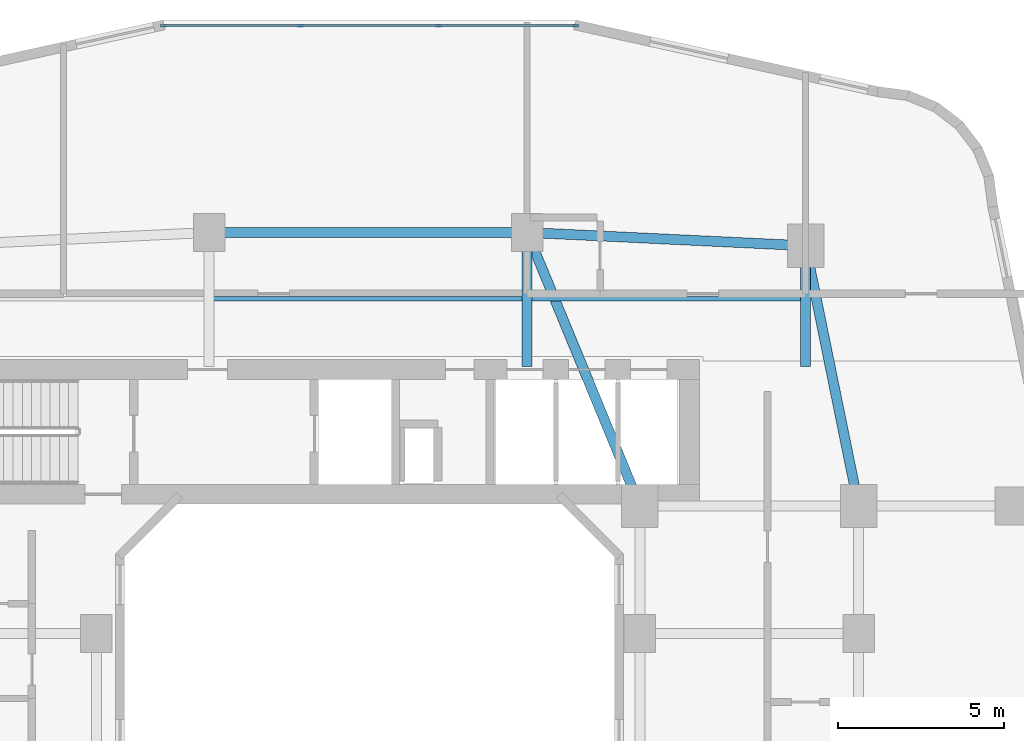
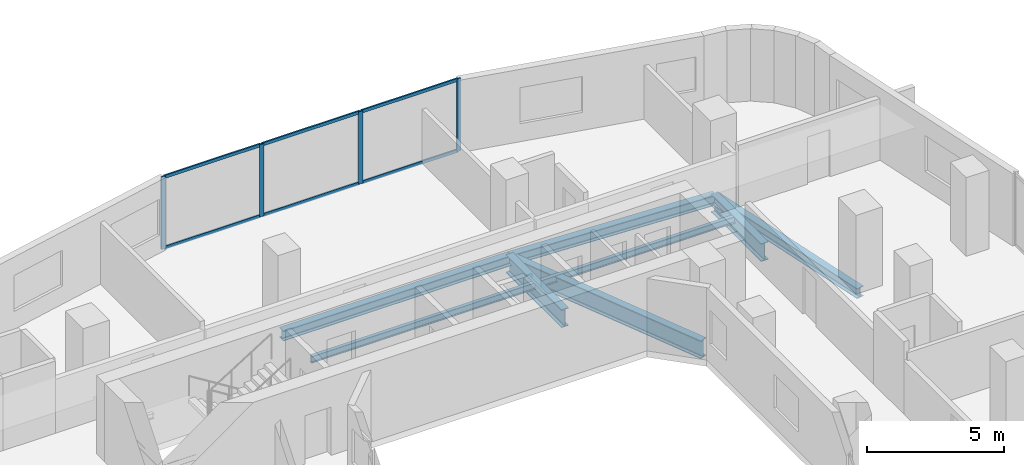
# One storey, part 7 of 26: 10 members, 8 beams, 1 element without a shape of its own.
"""IFC4 building model written with IfcOpenShell, lengths in metres."""

from ifc_helpers import new_model, si_unit, derived_unit, direction, frame, origin, origin_2d, place, context, subcontext, project, spatial, rectangle, i_section, extrude, material, layer, layer_set, material_profile, profile_set, type_object, element, aggregate, save


model = new_model("IFC4")

# Units and contexts
model_context = context("Model", 3, precision=1e-05, world=origin(), true_north=direction((0.0, 1.0)))
body_context = subcontext(model_context, "Body", "Model", "MODEL_VIEW")
ifc_project = project(units=[si_unit("LENGTHUNIT", "METRE"), si_unit("AREAUNIT", "SQUARE_METRE"), si_unit("VOLUMEUNIT", "CUBIC_METRE"), si_unit("PLANEANGLEUNIT", "RADIAN"), si_unit("MASSUNIT", "GRAM", prefix="KILO"), derived_unit("THERMALTRANSMITTANCEUNIT", [(si_unit("POWERUNIT", "WATT"), 1), (si_unit("LENGTHUNIT", "METRE"), -2), (si_unit("THERMODYNAMICTEMPERATUREUNIT", "KELVIN"), -1)])], contexts=[model_context])

# Site, building, storey
site_placement = place(None, origin())
site = spatial("IfcSite", under=ifc_project, at=site_placement, CompositionType="ELEMENT")
building_placement = place(site_placement, origin())
building = spatial("IfcBuilding", under=site, at=building_placement, Name="Kivonza Crest Hotel", CompositionType="ELEMENT")
storey_placement = place(building_placement, frame((0.0, 0.0, 45.0)))
storey = spatial("IfcBuildingStorey", under=building, at=storey_placement, Name="L11", CompositionType="ELEMENT", Elevation=45.0)

# Beams
ifc_material_1 = material(Name="Steel S355", Category="steel")
ifc_material_profile_1 = material_profile(ifc_material_1, i_section(OverallWidth=0.300048828125, OverallDepth=0.449951171875, WebThickness=0.013916015625, FlangeThickness=0.02587890625, FilletRadius=0.027099609375, at=origin_2d()), Name="HEB 450")
ifc_profile_set_1 = profile_set([ifc_material_profile_1], Name="Steel S355")
beam_type_1 = type_object("IfcBeamType", Name="BM-HEB450", PredefinedType="SPANDREL", material=ifc_profile_set_1)
beam_1_placement = place(storey_placement, frame((35.800048828125, 32.35009765625, -0.5048828125), z_axis=(-0.199730733965, 0.979850822273, 0.0), x_axis=(-0.979850822273, -0.199730733965, 0.0)))
element("IfcBeam", 1, at=beam_1_placement, inside=storey, type_object=beam_type_1, Name="Tower T1 L11 perimeter spandrel PNE-NE", PredefinedType="SPANDREL", context=body_context, shape_type="SweptSolid", body=[
    extrude(i_section(OverallWidth=0.300048828125, OverallDepth=0.449951171875, WebThickness=0.013916015625, FlangeThickness=0.02587890625, FilletRadius=0.027099609375, at=origin_2d()), origin(), (0.0, 0.0, 1.0), 8.01123046875),
])
beam_2_placement = place(storey_placement, frame((34.199951171875, 40.199951171875, -0.5048828125), z_axis=(-0.998867283688, 0.047583080799, 0.0), x_axis=(-0.047583080799, -0.998867283688, 0.0)))
element("IfcBeam", 2, at=beam_2_placement, inside=storey, type_object=beam_type_1, Name="Tower T1 L11 perimeter spandrel NE-N2", PredefinedType="SPANDREL", context=body_context, shape_type="SweptSolid", body=[
    extrude(i_section(OverallWidth=0.300048828125, OverallDepth=0.449951171875, WebThickness=0.013916015625, FlangeThickness=0.02587890625, FilletRadius=0.027099609375, at=origin_2d()), origin(), (0.0, 0.0, 1.0), 8.409423828125),
])
beam_3_placement = place(storey_placement, frame((25.800048828125, 40.60009765625, -0.5048828125), z_axis=(-1.0, 0.0, 0.0), x_axis=(0.0, -1.0, 0.0)))
element("IfcBeam", 3, at=beam_3_placement, inside=storey, type_object=beam_type_1, Name="Tower T1 L11 perimeter spandrel N2-N1", PredefinedType="SPANDREL", context=body_context, shape_type="SweptSolid", body=[
    extrude(i_section(OverallWidth=0.300048828125, OverallDepth=0.449951171875, WebThickness=0.013916015625, FlangeThickness=0.02587890625, FilletRadius=0.027099609375, at=origin_2d()), origin(), (0.0, 0.0, 1.0), 9.60009765625),
])
ifc_material_profile_2 = material_profile(ifc_material_1, i_section(OverallWidth=0.300048828125, OverallDepth=0.800048828125, WebThickness=0.017578125, FlangeThickness=0.032958984375, FilletRadius=0.030029296875, at=origin_2d()), Name="HEB 800")
ifc_profile_set_2 = profile_set([ifc_material_profile_2], Name="Steel S355")
beam_type_2 = type_object("IfcBeamType", Name="BM-HEB800", PredefinedType="BEAM", material=ifc_profile_set_2)
beam_4_placement = place(storey_placement, frame((25.800048828125, 40.60009765625, -0.679931640625), z_axis=(0.381022260404, -0.924565864109, 0.0), x_axis=(0.924565864109, 0.381022260404, 0.0)))
element("IfcBeam", 4, at=beam_4_placement, inside=storey, type_object=beam_type_2, Name="Tower T1 L11 primary girder N1-TNE", PredefinedType="BEAM", context=body_context, shape_type="SweptSolid", body=[
    extrude(i_section(OverallWidth=0.300048828125, OverallDepth=0.800048828125, WebThickness=0.017578125, FlangeThickness=0.032958984375, FilletRadius=0.030029296875, at=origin_2d()), origin(), (0.0, 0.0, 1.0), 8.923095703125),
])
beam_5_placement = place(storey_placement, frame((25.800048828125, 40.60009765625, -0.679931640625), z_axis=(0.0, -1.0, 0.0), x_axis=(1.0, 0.0, 0.0)))
element("IfcBeam", 5, at=beam_5_placement, inside=storey, type_object=beam_type_2, Name="Tower T1 L11 radial core girder RN2", PredefinedType="BEAM", context=body_context, shape_type="SweptSolid", body=[
    extrude(i_section(OverallWidth=0.300048828125, OverallDepth=0.800048828125, WebThickness=0.017578125, FlangeThickness=0.032958984375, FilletRadius=0.030029296875, at=origin_2d()), origin(), (0.0, 0.0, 1.0), 4.050048828125),
])
beam_6_placement = place(storey_placement, frame((34.199951171875, 40.199951171875, -0.679931640625), z_axis=(0.0, -1.0, 0.0), x_axis=(1.0, 0.0, 0.0)))
element("IfcBeam", 6, at=beam_6_placement, inside=storey, type_object=beam_type_2, Name="Tower T1 L11 radial core girder RNE", PredefinedType="BEAM", context=body_context, shape_type="SweptSolid", body=[
    extrude(i_section(OverallWidth=0.300048828125, OverallDepth=0.800048828125, WebThickness=0.017578125, FlangeThickness=0.032958984375, FilletRadius=0.030029296875, at=origin_2d()), origin(), (0.0, 0.0, 1.0), 3.64990234375),
])
ifc_material_profile_3 = material_profile(ifc_material_1, i_section(OverallWidth=0.14990234375, OverallDepth=0.300048828125, WebThickness=0.007080078125, FlangeThickness=0.0107421875, FilletRadius=0.014892578125, at=origin_2d()), Name="IPE 300")
ifc_profile_set_3 = profile_set([ifc_material_profile_3], Name="Steel S355")
beam_type_3 = type_object("IfcBeamType", Name="BM-IPE300", PredefinedType="JOIST", material=ifc_profile_set_3)
beam_7_placement = place(storey_placement, frame((16.280029296875, 38.60009765625, -0.429931640625), z_axis=(1.0, 0.0, 0.0), x_axis=(0.0, 1.0, 0.0)))
element("IfcBeam", 7, at=beam_7_placement, inside=storey, type_object=beam_type_3, Name="Tower T1 L11 North-Mid floor joist", PredefinedType="JOIST", context=body_context, shape_type="SweptSolid", body=[
    extrude(i_section(OverallWidth=0.14990234375, OverallDepth=0.300048828125, WebThickness=0.007080078125, FlangeThickness=0.0107421875, FilletRadius=0.014892578125, at=origin_2d()), origin(), (0.0, 0.0, 1.0), 9.43994140625),
])
beam_8_placement = place(storey_placement, frame((25.8798828125, 38.60009765625, -0.429931640625), z_axis=(1.0, 0.0, 0.0), x_axis=(0.0, 1.0, 0.0)))
element("IfcBeam", 8, at=beam_8_placement, inside=storey, type_object=beam_type_3, Name="Tower T1 L11 North-East floor joist", PredefinedType="JOIST", context=body_context, shape_type="SweptSolid", body=[
    extrude(i_section(OverallWidth=0.14990234375, OverallDepth=0.300048828125, WebThickness=0.007080078125, FlangeThickness=0.0107421875, FilletRadius=0.014892578125, at=origin_2d()), origin(), (0.0, 0.0, 1.0), 8.240234375),
])

# Curtain wall, members
ifc_material_2 = material(Name="Anodised bronze aluminium and low-E double glazing", Category="aluminium")
ifc_layer = layer(ifc_material_2, 0.179931640625)
ifc_layer_set = layer_set([ifc_layer], Name="Anodised bronze aluminium and low-E double glazing")
curtain_wall_type = type_object("IfcCurtainWallType", Name="CW-SYS-2", PredefinedType="NOTDEFINED", material=ifc_layer_set)
curtain_wall_placement = place(storey_placement, origin())
curtain_wall = element("IfcCurtainWall", 9, at=curtain_wall_placement, inside=storey, type_object=curtain_wall_type, Name="L11 unitised curtain wall CW-T1-L11-26", PredefinedType="NOTDEFINED")
ifc_material_3 = material(Name="Anodised bronze aluminium", Category="aluminium")
ifc_material_profile_4 = material_profile(ifc_material_3, rectangle(XDim=0.06494140625, YDim=0.179931640625, at=origin_2d()), Name="CW-M 65x180")
ifc_profile_set_4 = profile_set([ifc_material_profile_4], Name="Anodised bronze aluminium")
member_type_1 = type_object("IfcMemberType", Name="CW-MUL-65x180", PredefinedType="MULLION", material=ifc_profile_set_4)
member_1_placement = place(storey_placement, frame((27.255615234375, 46.840087890625, 0.0), z_axis=(0.0, 0.0, 1.0), x_axis=(0.0, -1.0, 0.0)))
member_1 = element("IfcMember", 10, at=member_1_placement, type_object=member_type_1, Name="CW-2 mullion 1", PredefinedType="MULLION", context=body_context, shape_type="SweptSolid", body=[
    extrude(rectangle(XDim=0.06494140625, YDim=0.179931640625, at=origin_2d()), origin(), (0.0, 0.0, 1.0), 3.219970703125),
])
member_2_placement = place(storey_placement, frame((23.12255859375, 46.840087890625, 0.0), z_axis=(0.0, 0.0, 1.0), x_axis=(0.0, -1.0, 0.0)))
member_2 = element("IfcMember", 11, at=member_2_placement, type_object=member_type_1, Name="CW-2 mullion 2", PredefinedType="MULLION", context=body_context, shape_type="SweptSolid", body=[
    extrude(rectangle(XDim=0.06494140625, YDim=0.179931640625, at=origin_2d()), origin(), (0.0, 0.0, 1.0), 3.219970703125),
])
member_3_placement = place(storey_placement, frame((18.957275390625, 46.840087890625, 0.0), z_axis=(0.0, 0.0, 1.0), x_axis=(0.0, -1.0, 0.0)))
member_3 = element("IfcMember", 12, at=member_3_placement, type_object=member_type_1, Name="CW-2 mullion 3", PredefinedType="MULLION", context=body_context, shape_type="SweptSolid", body=[
    extrude(rectangle(XDim=0.06494140625, YDim=0.179931640625, at=origin_2d()), origin(), (0.0, 0.0, 1.0), 3.219970703125),
])
member_4_placement = place(storey_placement, frame((14.824462890625, 46.840087890625, 0.0), z_axis=(0.0, 0.0, 1.0), x_axis=(0.0, -1.0, 0.0)))
member_4 = element("IfcMember", 13, at=member_4_placement, type_object=member_type_1, Name="CW-2 mullion 4", PredefinedType="MULLION", context=body_context, shape_type="SweptSolid", body=[
    extrude(rectangle(XDim=0.06494140625, YDim=0.179931640625, at=origin_2d()), origin(), (0.0, 0.0, 1.0), 3.219970703125),
])
ifc_material_profile_5 = material_profile(ifc_material_3, rectangle(XDim=0.06494140625, YDim=0.139892578125, at=origin_2d()), Name="CW-T 65x140")
ifc_profile_set_5 = profile_set([ifc_material_profile_5], Name="Anodised bronze aluminium")
member_type_2 = type_object("IfcMemberType", Name="CW-TRN-65x140", PredefinedType="USERDEFINED", material=ifc_profile_set_5)
member_5_placement = place(storey_placement, frame((27.222900390625, 46.840087890625, 0.032470703125), z_axis=(-1.0, 0.0, 0.0), x_axis=(0.0, -1.0, 0.0)))
member_5 = element("IfcMember", 14, at=member_5_placement, type_object=member_type_2, Name="CW-2 transom 1.1", ObjectType="TRANSOM", PredefinedType="USERDEFINED", context=body_context, shape_type="SweptSolid", body=[
    extrude(rectangle(XDim=0.06494140625, YDim=0.139892578125, at=origin_2d()), origin(), (0.0, 0.0, 1.0), 4.067626953125),
])
member_6_placement = place(storey_placement, frame((27.222900390625, 46.840087890625, 3.1875), z_axis=(-1.0, 0.0, 0.0), x_axis=(0.0, -1.0, 0.0)))
member_6 = element("IfcMember", 15, at=member_6_placement, type_object=member_type_2, Name="CW-2 transom 1.2", ObjectType="TRANSOM", PredefinedType="USERDEFINED", context=body_context, shape_type="SweptSolid", body=[
    extrude(rectangle(XDim=0.06494140625, YDim=0.139892578125, at=origin_2d()), origin(), (0.0, 0.0, 1.0), 4.067626953125),
])
member_7_placement = place(storey_placement, frame((23.090087890625, 46.840087890625, 0.032470703125), z_axis=(-1.0, 0.0, 0.0), x_axis=(0.0, -1.0, 0.0)))
member_7 = element("IfcMember", 16, at=member_7_placement, type_object=member_type_2, Name="CW-2 transom 2.1", ObjectType="TRANSOM", PredefinedType="USERDEFINED", context=body_context, shape_type="SweptSolid", body=[
    extrude(rectangle(XDim=0.06494140625, YDim=0.139892578125, at=origin_2d()), origin(), (0.0, 0.0, 1.0), 4.100341796875),
])
member_8_placement = place(storey_placement, frame((23.090087890625, 46.840087890625, 3.1875), z_axis=(-1.0, 0.0, 0.0), x_axis=(0.0, -1.0, 0.0)))
member_8 = element("IfcMember", 17, at=member_8_placement, type_object=member_type_2, Name="CW-2 transom 2.2", ObjectType="TRANSOM", PredefinedType="USERDEFINED", context=body_context, shape_type="SweptSolid", body=[
    extrude(rectangle(XDim=0.06494140625, YDim=0.139892578125, at=origin_2d()), origin(), (0.0, 0.0, 1.0), 4.100341796875),
])
member_9_placement = place(storey_placement, frame((18.9248046875, 46.840087890625, 0.032470703125), z_axis=(-1.0, 0.0, 0.0), x_axis=(0.0, -1.0, 0.0)))
member_9 = element("IfcMember", 18, at=member_9_placement, type_object=member_type_2, Name="CW-2 transom 3.1", ObjectType="TRANSOM", PredefinedType="USERDEFINED", context=body_context, shape_type="SweptSolid", body=[
    extrude(rectangle(XDim=0.06494140625, YDim=0.139892578125, at=origin_2d()), origin(), (0.0, 0.0, 1.0), 4.06787109375),
])
member_10_placement = place(storey_placement, frame((18.9248046875, 46.840087890625, 3.1875), z_axis=(-1.0, 0.0, 0.0), x_axis=(0.0, -1.0, 0.0)))
member_10 = element("IfcMember", 19, at=member_10_placement, type_object=member_type_2, Name="CW-2 transom 3.2", ObjectType="TRANSOM", PredefinedType="USERDEFINED", context=body_context, shape_type="SweptSolid", body=[
    extrude(rectangle(XDim=0.06494140625, YDim=0.139892578125, at=origin_2d()), origin(), (0.0, 0.0, 1.0), 4.06787109375),
])
aggregate(curtain_wall, [member_1, member_2, member_3, member_4, member_5, member_6, member_7, member_8, member_9, member_10])

save(model, "model.ifc")
